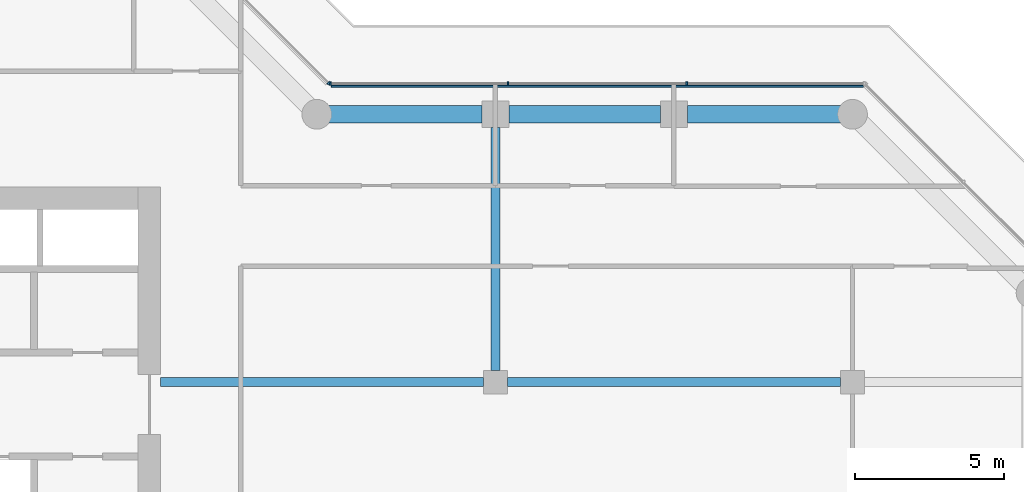
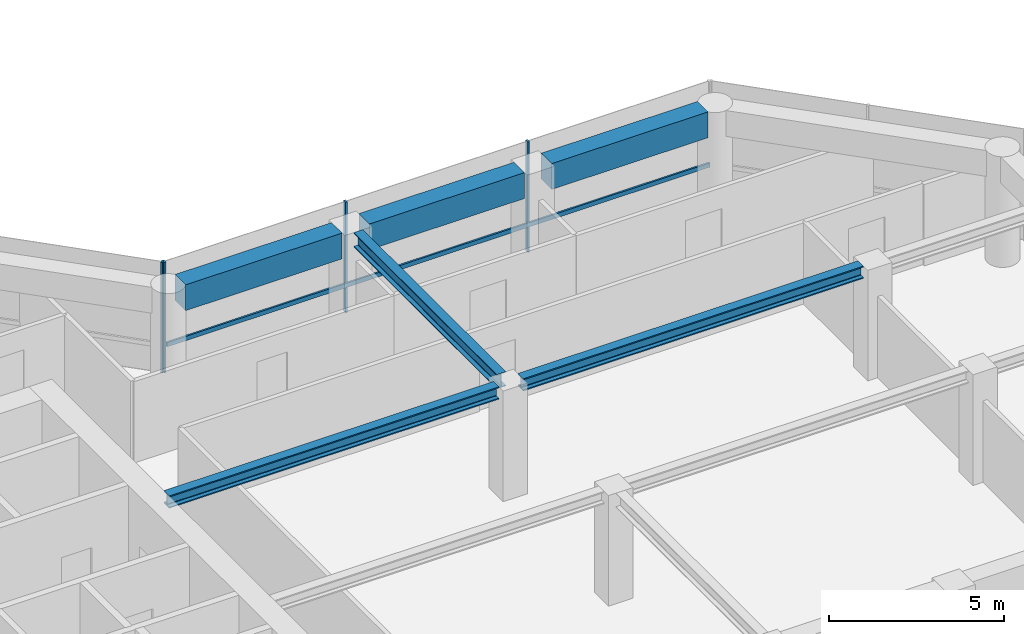
# One storey, part 8 of 24: 6 beams, 5 members, 2 elements without a shape of their own.
"""IFC4 building model written with IfcOpenShell, lengths in metres."""

from ifc_helpers import new_model, si_unit, direction, frame, origin, origin_2d, place, context, subcontext, project, spatial, rectangle, i_section, extrude, material, layer, layer_set, material_profile, profile_set, type_object, element, aggregate, save


model = new_model("IFC4")

# Units and contexts
model_context = context("Model", 3, precision=1e-05, world=origin(), true_north=direction((0.0, 1.0)))
body_context = subcontext(model_context, "Body", "Model", "MODEL_VIEW")
ifc_project = project(units=[si_unit("LENGTHUNIT", "METRE"), si_unit("AREAUNIT", "SQUARE_METRE"), si_unit("VOLUMEUNIT", "CUBIC_METRE"), si_unit("PLANEANGLEUNIT", "RADIAN"), si_unit("MASSUNIT", "GRAM", prefix="KILO")], contexts=[model_context])

# Site, building, storey
site_placement = place(None, origin())
site = spatial("IfcSite", under=ifc_project, at=site_placement, CompositionType="ELEMENT")
building_placement = place(site_placement, origin())
building = spatial("IfcBuilding", under=site, at=building_placement, Name="Welwitschia Terrace Campus", CompositionType="ELEMENT")
storey_placement = place(building_placement, frame((0.0, 0.0, 129.800048828125)))
storey = spatial("IfcBuildingStorey", under=building, at=storey_placement, Name="L29", CompositionType="ELEMENT", Elevation=129.800048828125)

# Beams
ifc_material_1 = material(Name="Steel S355", Category="steel")
ifc_material_profile_1 = material_profile(ifc_material_1, i_section(OverallWidth=0.306884765625, OverallDepth=0.431884765625, WebThickness=0.02099609375, FlangeThickness=0.0400390625, FilletRadius=0.027099609375, at=origin_2d()))
ifc_profile_set_1 = profile_set([ifc_material_profile_1], Name="Steel S355")
beam_type_1 = type_object("IfcBeamType", Name="Interior girder HE 400 M", PredefinedType="BEAM", material=ifc_profile_set_1)
beam_1_placement = place(storey_placement, frame((24.7509765625, 19.0, 3.634033203125), z_axis=(1.0, 0.0, 0.0), x_axis=(0.0, 1.0, 0.0)))
element("IfcBeam", 1, at=beam_1_placement, inside=storey, type_object=beam_type_1, Name="Girder GB3", PredefinedType="BEAM", context=body_context, shape_type="SweptSolid", body=[
    extrude(i_section(OverallWidth=0.306884765625, OverallDepth=0.431884765625, WebThickness=0.02099609375, FlangeThickness=0.0400390625, FilletRadius=0.027099609375, at=origin_2d()), origin(), (0.0, 0.0, 1.0), 10.8486328125),
])
beam_2_placement = place(storey_placement, frame((36.400390625, 19.0, 3.634033203125), z_axis=(1.0, 0.0, 0.0), x_axis=(0.0, 1.0, 0.0)))
element("IfcBeam", 2, at=beam_2_placement, inside=storey, type_object=beam_type_1, Name="Girder GB3", PredefinedType="BEAM", context=body_context, shape_type="SweptSolid", body=[
    extrude(i_section(OverallWidth=0.306884765625, OverallDepth=0.431884765625, WebThickness=0.02099609375, FlangeThickness=0.0400390625, FilletRadius=0.027099609375, at=origin_2d()), origin(), (0.0, 0.0, 1.0), 11.19921875),
])

# Curtain wall, members
ifc_material_2 = material(Name="Bronze anodised aluminium", Category="aluminium")
ifc_layer = layer(ifc_material_2, 0.1201171875)
ifc_layer_set = layer_set([ifc_layer], Name="Bronze anodised aluminium")
curtain_wall_type = type_object("IfcCurtainWallType", Name="Curtain wall CW2 tower 6000", PredefinedType="NOTDEFINED", material=ifc_layer_set)
curtain_wall_1_placement = place(storey_placement, origin())
curtain_wall_1 = element("IfcCurtainWall", 3, at=curtain_wall_1_placement, inside=storey, type_object=curtain_wall_type, Name="CW L29.8.0", PredefinedType="NOTDEFINED")
ifc_material_3 = material(Name="Bronze anodised aluminium", Category="aluminium")
ifc_material_profile_2 = material_profile(ifc_material_3, rectangle(XDim=0.1201171875, YDim=0.06005859375, at=origin_2d()))
ifc_profile_set_2 = profile_set([ifc_material_profile_2], Name="Bronze anodised aluminium")
member_type_1 = type_object("IfcMemberType", Name="Mullion 60x120", PredefinedType="MULLION", material=ifc_profile_set_2)
member_1_placement = place(storey_placement, frame((42.4267578125, 29.030029296875, 0.0), z_axis=(0.0, 0.0, 1.0), x_axis=(0.0, -1.0, 0.0)))
member_1 = element("IfcMember", 4, at=member_1_placement, type_object=member_type_1, Name="Mullion L29.8.0.1", PredefinedType="MULLION", context=body_context, shape_type="SweptSolid", body=[
    extrude(rectangle(XDim=0.1201171875, YDim=0.06005859375, at=origin_2d()), origin(), (0.0, 0.0, 1.0), 3.849853515625),
])
member_2_placement = place(storey_placement, frame((36.4267578125, 29.030029296875, 0.0), z_axis=(0.0, 0.0, 1.0), x_axis=(0.0, -1.0, 0.0)))
member_2 = element("IfcMember", 5, at=member_2_placement, type_object=member_type_1, Name="Mullion L29.8.0.2", PredefinedType="MULLION", context=body_context, shape_type="SweptSolid", body=[
    extrude(rectangle(XDim=0.1201171875, YDim=0.06005859375, at=origin_2d()), origin(), (0.0, 0.0, 1.0), 3.849853515625),
])
member_3_placement = place(storey_placement, frame((30.45654296875, 29.030029296875, 0.0), z_axis=(0.0, 0.0, 1.0), x_axis=(0.0, -1.0, 0.0)))
member_3 = element("IfcMember", 6, at=member_3_placement, type_object=member_type_1, Name="Mullion L29.8.0.3", PredefinedType="MULLION", context=body_context, shape_type="SweptSolid", body=[
    extrude(rectangle(XDim=0.1201171875, YDim=0.06005859375, at=origin_2d()), origin(), (0.0, 0.0, 1.0), 3.849853515625),
])

# Curtain wall, member
curtain_wall_2_placement = place(storey_placement, origin())
curtain_wall_2 = element("IfcCurtainWall", 7, at=curtain_wall_2_placement, inside=storey, type_object=curtain_wall_type, Name="CW L29.9.0", PredefinedType="NOTDEFINED")
member_4_placement = place(storey_placement, frame((30.405517578125, 29.05126953125, 0.0), z_axis=(0.0, 0.0, 1.0), x_axis=(-0.707106781187, -0.707106781187, 0.0)))
member_4 = element("IfcMember", 8, at=member_4_placement, type_object=member_type_1, Name="Mullion L29.9.0.0", PredefinedType="MULLION", context=body_context, shape_type="SweptSolid", body=[
    extrude(rectangle(XDim=0.1201171875, YDim=0.06005859375, at=origin_2d()), origin(), (0.0, 0.0, 1.0), 3.849853515625),
])
aggregate(curtain_wall_2, [member_4])

# Beams
ifc_material_4 = material(Name="Steel S355", Category="steel")
ifc_material_profile_3 = material_profile(ifc_material_4, i_section(OverallWidth=0.300048828125, OverallDepth=0.5, WebThickness=0.014404296875, FlangeThickness=0.028076171875, FilletRadius=0.027099609375, at=origin_2d()))
ifc_profile_set_3 = profile_set([ifc_material_profile_3], Name="Steel S355")
beam_type_2 = type_object("IfcBeamType", Name="Primary beam HE 500 B", PredefinedType="BEAM", material=ifc_profile_set_3)
beam_3_placement = place(storey_placement, frame((36.0, 27.549560546875, 3.599853515625), z_axis=(0.0, -1.0, 0.0), x_axis=(1.0, 0.0, 0.0)))
element("IfcBeam", 9, at=beam_3_placement, inside=storey, type_object=beam_type_2, Name="Primary beam PB3", PredefinedType="BEAM", context=body_context, shape_type="SweptSolid", body=[
    extrude(i_section(OverallWidth=0.300048828125, OverallDepth=0.5, WebThickness=0.014404296875, FlangeThickness=0.028076171875, FilletRadius=0.027099609375, at=origin_2d()), origin(), (0.0, 0.0, 1.0), 8.149169921875),
])
ifc_material_5 = material(Name="Concrete C60/75", Category="concrete")
ifc_material_profile_4 = material_profile(ifc_material_5, rectangle(XDim=0.60009765625, YDim=0.89990234375, at=origin_2d()))
ifc_profile_set_4 = profile_set([ifc_material_profile_4], Name="Concrete C60/75")
beam_type_3 = type_object("IfcBeamType", Name="Ring spandrel 600x900", PredefinedType="SPANDREL", material=ifc_profile_set_4)
beam_4_placement = place(storey_placement, frame((47.599609375, 28.0, 3.39990234375), z_axis=(-1.0, 0.0, 0.0), x_axis=(0.0, -1.0, 0.0)))
element("IfcBeam", 10, at=beam_4_placement, inside=storey, type_object=beam_type_3, Name="Spandrel SP2", PredefinedType="SPANDREL", context=body_context, shape_type="SweptSolid", body=[
    extrude(rectangle(XDim=0.60009765625, YDim=0.89990234375, at=origin_2d()), origin(), (0.0, 0.0, 1.0), 5.149169921875),
])
beam_5_placement = place(storey_placement, frame((41.549560546875, 28.0, 3.39990234375), z_axis=(-1.0, 0.0, 0.0), x_axis=(0.0, -1.0, 0.0)))
element("IfcBeam", 11, at=beam_5_placement, inside=storey, type_object=beam_type_3, Name="Spandrel SP2", PredefinedType="SPANDREL", context=body_context, shape_type="SweptSolid", body=[
    extrude(rectangle(XDim=0.60009765625, YDim=0.89990234375, at=origin_2d()), origin(), (0.0, 0.0, 1.0), 5.09912109375),
])
beam_6_placement = place(storey_placement, frame((35.549560546875, 28.0, 3.39990234375), z_axis=(-1.0, 0.0, 0.0), x_axis=(0.0, -1.0, 0.0)))
element("IfcBeam", 12, at=beam_6_placement, inside=storey, type_object=beam_type_3, Name="Spandrel SP2", PredefinedType="SPANDREL", context=body_context, shape_type="SweptSolid", body=[
    extrude(rectangle(XDim=0.60009765625, YDim=0.89990234375, at=origin_2d()), origin(), (0.0, 0.0, 1.0), 5.149169921875),
])

# Member
ifc_material_6 = material(Name="Bronze anodised aluminium", Category="aluminium")
ifc_material_profile_5 = material_profile(ifc_material_6, rectangle(XDim=0.06005859375, YDim=0.14990234375, at=origin_2d()))
ifc_profile_set_5 = profile_set([ifc_material_profile_5], Name="Bronze anodised aluminium")
member_type_2 = type_object("IfcMemberType", Name="Transom 60x150", PredefinedType="USERDEFINED", material=ifc_profile_set_5)
member_5_placement = place(storey_placement, frame((48.36669921875, 28.93994140625, 1.0), z_axis=(-1.0, 0.0, 0.0), x_axis=(0.0, -1.0, 0.0)))
member_5 = element("IfcMember", 13, at=member_5_placement, type_object=member_type_2, Name="Transom L29.8.0", ObjectType="TRANSOM", PredefinedType="USERDEFINED", context=body_context, shape_type="SweptSolid", body=[
    extrude(rectangle(XDim=0.06005859375, YDim=0.14990234375, at=origin_2d()), origin(), (0.0, 0.0, 1.0), 17.880126953125),
])

aggregate(curtain_wall_1, [member_1, member_2, member_3, member_5])

save(model, "model.ifc")
